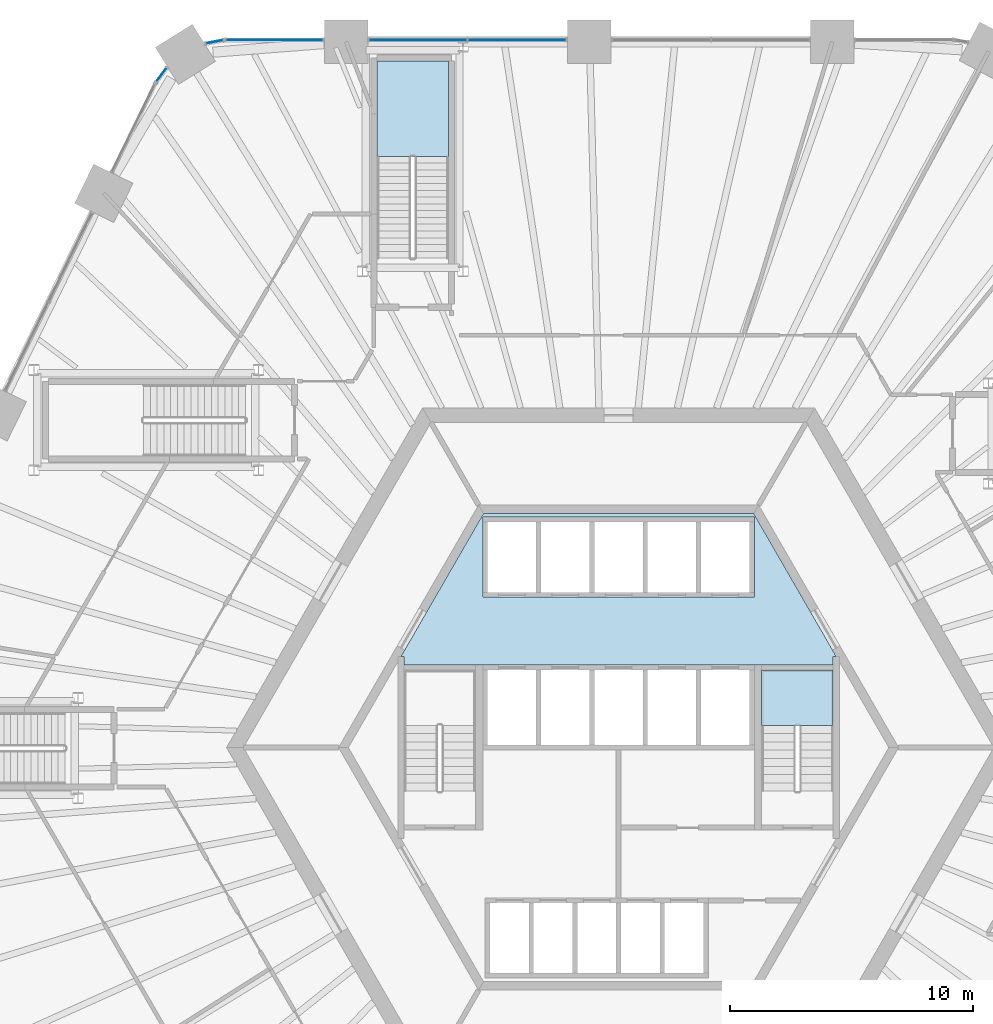
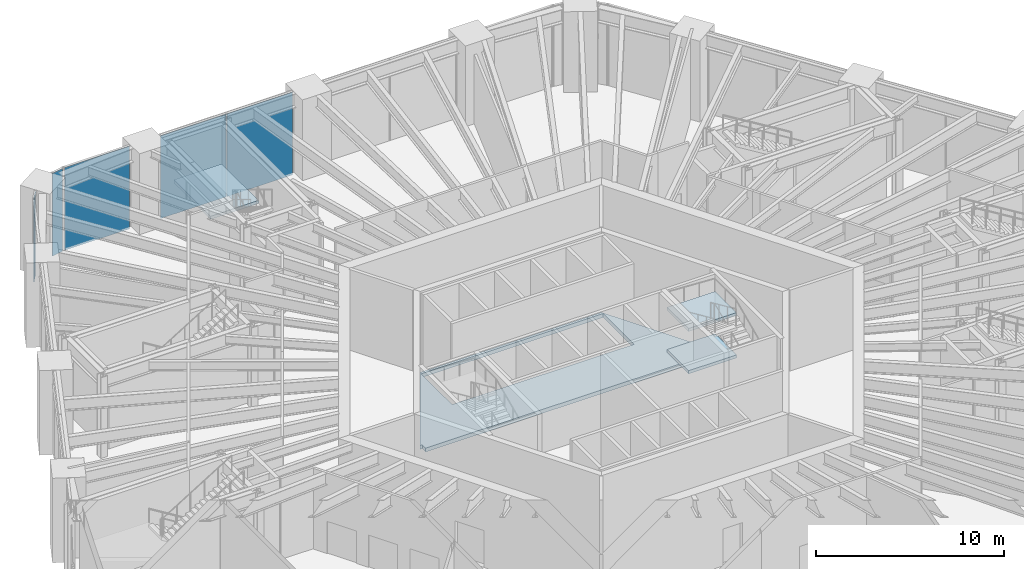
# One storey, part 18 of 30: 5 plates, 4 slabs, 6 elements without a shape of their own.
"""IFC4 building model written with IfcOpenShell, lengths in metres."""

from ifc_helpers import new_model, si_unit, direction, frame, origin, origin_2d, place, context, subcontext, project, spatial, polyline, rectangle, outline, extrude, material, layer, layer_set, type_object, element, aggregate, save


model = new_model("IFC4")

# Units and contexts
model_context = context("Model", 3, precision=1e-05, world=origin(), true_north=direction((0.0, 1.0)))
body_context = subcontext(model_context, "Body", "Model", "MODEL_VIEW")
ifc_project = project(units=[si_unit("LENGTHUNIT", "METRE"), si_unit("AREAUNIT", "SQUARE_METRE"), si_unit("VOLUMEUNIT", "CUBIC_METRE"), si_unit("PLANEANGLEUNIT", "RADIAN"), si_unit("MASSUNIT", "GRAM", prefix="KILO")], contexts=[model_context])

# Site, building, storey
site_placement = place(None, origin())
site = spatial("IfcSite", under=ifc_project, at=site_placement, CompositionType="ELEMENT")
building_placement = place(site_placement, origin())
building = spatial("IfcBuilding", under=site, at=building_placement, Name="Tarnside Tower", CompositionType="ELEMENT")
storey_placement = place(building_placement, frame((0.0, 0.0, 20.5)))
storey = spatial("IfcBuildingStorey", under=building, at=storey_placement, Name="L03", CompositionType="ELEMENT", Elevation=20.5)

# Slab
ifc_material_1 = material(Name="Concrete C40/50", Category="concrete")
ifc_layer_1 = layer(ifc_material_1, 0.25)
ifc_layer_set_1 = layer_set([ifc_layer_1], Name="Core slab C40/50")
slab_type_1 = type_object("IfcSlabType", Name="Core slab C40/50", PredefinedType="FLOOR", material=ifc_layer_set_1)
slab_1_placement = place(storey_placement, frame((0.0, 0.0, -0.25)))
element("IfcSlab", 1, at=slab_1_placement, inside=storey, type_object=slab_type_1, Name="L03 core floor slab 2", PredefinedType="FLOOR", context=body_context, shape_type="SweptSolid", body=[
    extrude(outline(polyline([(-8.97509765625, 3.7548828125), (-5.5712890625, 9.64990234375), (5.5712890625, 9.64990234375), (8.97509765625, 3.7548828125), (8.85009765625, 3.7548828125), (8.85009765625, 3.39990234375), (5.89990234375, 3.39990234375), (5.60009765625, 3.39990234375), (5.60009765625, 3.39990234375), (-5.60009765625, 3.39990234375), (-5.89990234375, 3.39990234375), (-8.85009765625, 3.39990234375), (-8.85009765625, 3.7548828125), (-8.97509765625, 3.7548828125)]), holes=[polyline([(-5.60009765625, 6.199951171875), (5.60009765625, 6.199951171875), (5.60009765625, 6.39990234375), (5.60009765625, 9.300048828125), (5.60009765625, 9.5), (-5.60009765625, 9.5), (-5.60009765625, 9.300048828125), (-5.60009765625, 6.39990234375), (-5.60009765625, 6.199951171875)])]), origin(), (0.0, 0.0, 1.0), 0.25),
])

# Stair, slab
stair_type_1 = type_object("IfcStairType", Name="Podium exit stair 1400 clear", PredefinedType="HALF_TURN_STAIR", material=ifc_material_1)
stair_1_placement = place(storey_placement, origin())
stair_1 = element("IfcStair", 2, at=stair_1_placement, inside=storey, type_object=stair_type_1, Name="L03 Podium exit stair 1", PredefinedType="HALF_TURN_STAIR")
ifc_layer_2 = layer(ifc_material_1, 0.199951171875)
ifc_layer_set_2 = layer_set([ifc_layer_2], Name="Podium stair landing 200 C40/50")
slab_type_2 = type_object("IfcSlabType", Name="Podium stair landing 200 C40/50", PredefinedType="LANDING", material=ifc_layer_set_2)
slab_2_placement = place(storey_placement, frame((0.0, 0.0, 2.550048828125)))
slab_2 = element("IfcSlab", 3, at=slab_2_placement, type_object=slab_type_2, Name="PS1 landing 1", PredefinedType="LANDING", context=body_context, shape_type="SweptSolid", body=[
    extrude(outline(polyline([(-7.0146484375, 24.3798828125), (-7.0146484375, 28.300048828125), (-9.96484375, 28.300048828125), (-9.96484375, 24.3798828125), (-7.0146484375, 24.3798828125)])), origin(), (0.0, 0.0, 1.0), 0.199951171875),
])
aggregate(stair_1, [slab_2])

# Curtain wall, plates
ifc_material_2 = material(Name="Retail shopfront glazing wall", Category="glass")
curtain_wall_type = type_object("IfcCurtainWallType", Name="Retail shopfront glazing wall", PredefinedType="NOTDEFINED", material=ifc_material_2)
curtain_wall_1_placement = place(storey_placement, origin())
curtain_wall_1 = element("IfcCurtainWall", 4, at=curtain_wall_1_placement, inside=storey, type_object=curtain_wall_type, Name="Retail shopfront glazing L03 01.0", PredefinedType="NOTDEFINED")
ifc_material_3 = material(Name="Low-iron safety glass", Category="glass")
ifc_layer_3 = layer(ifc_material_3, 0.028076171875)
ifc_layer_set_3 = layer_set([ifc_layer_3], Name="Retail shopfront glazing panel 28")
plate_type = type_object("IfcPlateType", Name="Retail shopfront glazing panel 28", PredefinedType="CURTAIN_PANEL", material=ifc_layer_set_3)
plate_1_placement = place(storey_placement, frame((-4.181884765625, 29.179931640625, -0.18994140625), z_axis=(0.0, 0.0, 1.0), x_axis=(-1.0, 0.0, 0.0)))
plate_1 = element("IfcPlate", 5, at=plate_1_placement, type_object=plate_type, Name="CW2 panel 1.1", PredefinedType="CURTAIN_PANEL", context=body_context, shape_type="SweptSolid", body=[
    extrude(rectangle(XDim=4.021728515625, YDim=0.028076171875, at=origin_2d()), origin(), (0.0, 0.0, 1.0), 5.3798828125),
])
plate_2_placement = place(storey_placement, frame((-8.263916015625, 29.179931640625, -0.18994140625), z_axis=(0.0, 0.0, 1.0), x_axis=(-1.0, 0.0, 0.0)))
plate_2 = element("IfcPlate", 6, at=plate_2_placement, type_object=plate_type, Name="CW2 panel 2.1", PredefinedType="CURTAIN_PANEL", context=body_context, shape_type="SweptSolid", body=[
    extrude(rectangle(XDim=4.021728515625, YDim=0.028076171875, at=origin_2d()), origin(), (0.0, 0.0, 1.0), 5.3798828125),
])
aggregate(curtain_wall_1, [plate_1, plate_2])

# Curtain wall, plate
curtain_wall_2_placement = place(storey_placement, origin())
curtain_wall_2 = element("IfcCurtainWall", 7, at=curtain_wall_2_placement, inside=storey, type_object=curtain_wall_type, Name="Retail shopfront glazing L03 02.0", PredefinedType="NOTDEFINED")
plate_3_placement = place(storey_placement, frame((-14.190673828125, 29.179931640625, -0.18994140625), z_axis=(0.0, 0.0, 1.0), x_axis=(-1.0, 0.0, 0.0)))
plate_3 = element("IfcPlate", 8, at=plate_3_placement, type_object=plate_type, Name="CW2 panel 1.1", PredefinedType="CURTAIN_PANEL", context=body_context, shape_type="SweptSolid", body=[
    extrude(rectangle(XDim=3.991943359375, YDim=0.028076171875, at=origin_2d()), origin(), (0.0, 0.0, 1.0), 5.3798828125),
])
aggregate(curtain_wall_2, [plate_3])

curtain_wall_3_placement = place(storey_placement, origin())
curtain_wall_3 = element("IfcCurtainWall", 9, at=curtain_wall_3_placement, inside=storey, type_object=curtain_wall_type, Name="Retail shopfront glazing L03 02.1", PredefinedType="NOTDEFINED")
plate_4_placement = place(storey_placement, frame((-16.6650390625, 29.1025390625, -0.18994140625), z_axis=(0.0, 0.0, 1.0), x_axis=(-0.982720646541, -0.185094923925, 0.0)))
plate_4 = element("IfcPlate", 10, at=plate_4_placement, type_object=plate_type, Name="CW2 panel 1.1", PredefinedType="CURTAIN_PANEL", context=body_context, shape_type="SweptSolid", body=[
    extrude(rectangle(XDim=0.701416015625, YDim=0.028076171875, at=origin_2d()), origin(), (0.0, 0.0, 1.0), 5.3798828125),
])
aggregate(curtain_wall_3, [plate_4])

curtain_wall_4_placement = place(storey_placement, origin())
curtain_wall_4 = element("IfcCurtainWall", 11, at=curtain_wall_4_placement, inside=storey, type_object=curtain_wall_type, Name="Retail shopfront glazing L03 03.0", PredefinedType="NOTDEFINED")
plate_5_placement = place(storey_placement, frame((-18.851806640625, 27.736083984375, -0.18994140625), z_axis=(0.0, 0.0, 1.0), x_axis=(-0.597158591581, -0.802123192845, 0.0)))
plate_5 = element("IfcPlate", 12, at=plate_5_placement, type_object=plate_type, Name="CW2 panel 1.1", PredefinedType="CURTAIN_PANEL", context=body_context, shape_type="SweptSolid", body=[
    extrude(rectangle(XDim=0.701416015625, YDim=0.028076171875, at=origin_2d()), origin(), (0.0, 0.0, 1.0), 5.3798828125),
])
aggregate(curtain_wall_4, [plate_5])

# Stair, slabs
stair_type_2 = type_object("IfcStairType", Name="Exit stair 1400 clear", PredefinedType="HALF_TURN_STAIR", material=ifc_material_1)
stair_2_placement = place(storey_placement, origin())
stair_2 = element("IfcStair", 13, at=stair_2_placement, inside=storey, type_object=stair_type_2, Name="L03 Exit stair 1", PredefinedType="HALF_TURN_STAIR")
ifc_layer_4 = layer(ifc_material_1, 0.199951171875)
ifc_layer_set_4 = layer_set([ifc_layer_4], Name="Stair landing 200 C40/50")
slab_type_3 = type_object("IfcSlabType", Name="Stair landing 200 C40/50", PredefinedType="LANDING", material=ifc_layer_set_4)
slab_3_placement = place(storey_placement, frame((0.0, 0.0, 1.175048828125)))
slab_3 = element("IfcSlab", 14, at=slab_3_placement, type_object=slab_type_3, Name="ST1 landing 1", PredefinedType="LANDING", context=body_context, shape_type="SweptSolid", body=[
    extrude(outline(polyline([(8.85009765625, 0.919921875), (8.85009765625, 3.199951171875), (5.89990234375, 3.199951171875), (5.89990234375, 0.919921875), (8.85009765625, 0.919921875)])), origin(), (0.0, 0.0, 1.0), 0.199951171875),
])
slab_4_placement = place(storey_placement, frame((0.0, 0.0, 3.925048828125)))
slab_4 = element("IfcSlab", 15, at=slab_4_placement, type_object=slab_type_3, Name="ST1 landing 3", PredefinedType="LANDING", context=body_context, shape_type="SweptSolid", body=[
    extrude(outline(polyline([(8.85009765625, 0.919921875), (8.85009765625, 3.199951171875), (5.89990234375, 3.199951171875), (5.89990234375, 0.919921875), (8.85009765625, 0.919921875)])), origin(), (0.0, 0.0, 1.0), 0.199951171875),
])
aggregate(stair_2, [slab_3, slab_4])

save(model, "model.ifc")
